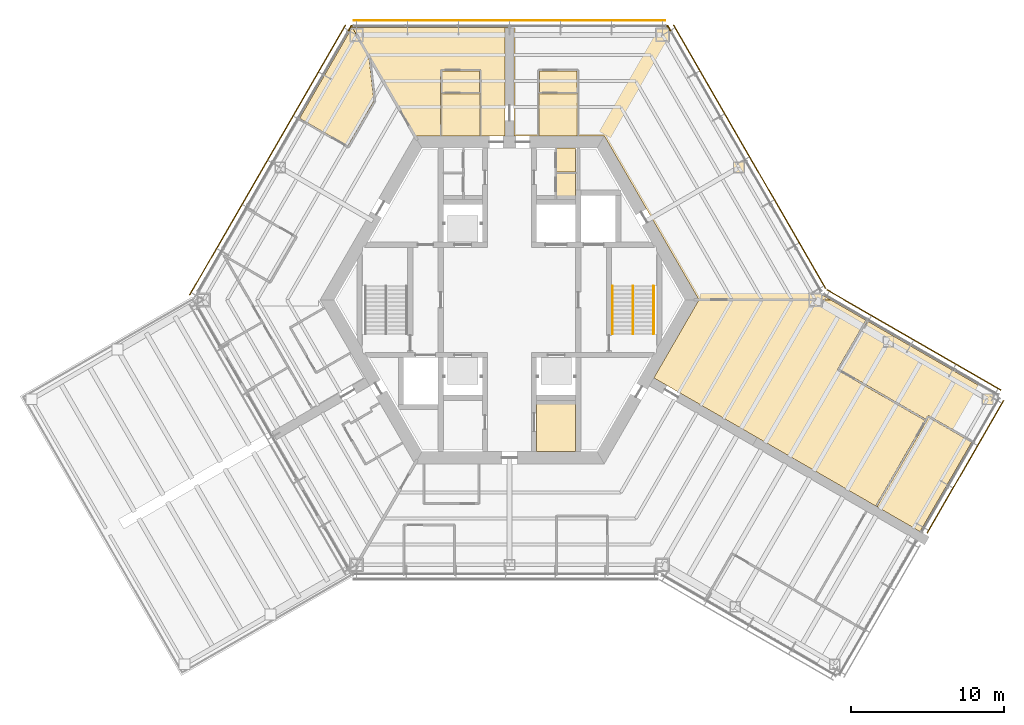
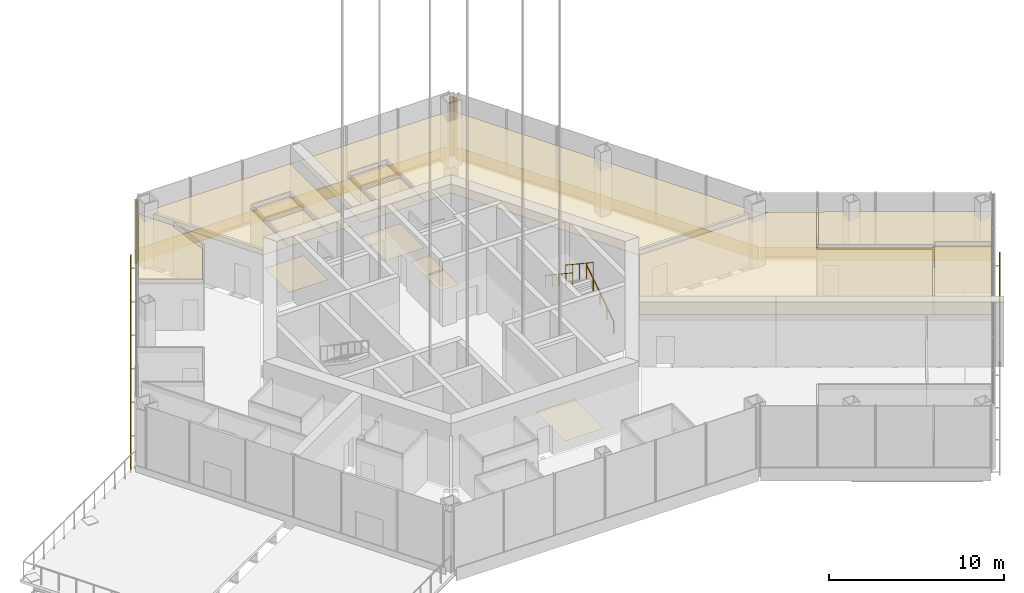
# One storey, part 16 of 17: 17 coverings, 5 shading devices, 3 railings.
"""IFC4 building model written with IfcOpenShell, lengths in metres."""

from ifc_helpers import new_model, si_unit, direction, frame, origin, origin_2d, place, context, subcontext, project, spatial, polyline, rectangle, circle, outline, extrude, material, layer, layer_set, type_object, element, save


model = new_model("IFC4")

# Units and contexts
model_context = context("Model", 3, precision=1e-05, world=origin(), true_north=direction((0.0, 1.0)))
body_context = subcontext(model_context, "Body", "Model", "MODEL_VIEW")
ifc_project = project(units=[si_unit("LENGTHUNIT", "METRE"), si_unit("AREAUNIT", "SQUARE_METRE"), si_unit("VOLUMEUNIT", "CUBIC_METRE"), si_unit("PLANEANGLEUNIT", "RADIAN"), si_unit("MASSUNIT", "GRAM", prefix="KILO")], contexts=[model_context])

# Site, building, storey
site_placement = place(None, origin())
site = spatial("IfcSite", under=ifc_project, at=site_placement, CompositionType="ELEMENT")
building_placement = place(site_placement, origin())
building = spatial("IfcBuilding", under=site, at=building_placement, Name="Kasaneha Research Tower", CompositionType="ELEMENT")
storey_placement = place(building_placement, frame((0.0, 0.0, 208.300048828125)))
storey = spatial("IfcBuildingStorey", under=building, at=storey_placement, Name="L52", CompositionType="ELEMENT", Elevation=208.300048828125)

# Coverings
ifc_material_1 = material(Name="Perforated aluminium acoustic ceiling", Category="aluminium")
ifc_layer_1 = layer(ifc_material_1, 0.030029296875)
ifc_layer_set_1 = layer_set([ifc_layer_1], Name="Acoustic ceiling 30")
covering_type_1 = type_object("IfcCoveringType", Name="Acoustic ceiling 30", PredefinedType="CEILING", material=ifc_layer_set_1)
covering_1_placement = place(storey_placement, frame((0.0, 0.0, 3.199951171875)))
element("IfcCovering", 1, at=covering_1_placement, inside=storey, type_object=covering_type_1, Name="Ceiling L52-29", PredefinedType="CEILING", context=body_context, shape_type="SweptSolid", body=[
    extrude(outline(polyline([(1.89990234375, 10.72509765625), (1.89990234375, 10.7451171875), (1.949951171875, 10.744873046875), (1.95458984375, 13.469970703125), (4.410400390625, 13.469970703125), (4.4150390625, 10.744873046875), (4.465087890625, 10.7451171875), (4.465087890625, 10.72509765625), (1.89990234375, 10.72509765625)])), origin(), (0.0, 0.0, 1.0), 0.030029296875),
])
covering_2_placement = place(storey_placement, frame((0.0, 0.0, 3.199951171875)))
element("IfcCovering", 2, at=covering_2_placement, inside=storey, type_object=covering_type_1, Name="Ceiling L52-30", PredefinedType="CEILING", context=body_context, shape_type="SweptSolid", body=[
    extrude(outline(polyline([(1.954345703125, 13.570068359375), (1.9501953125, 14.97509765625), (4.414794921875, 14.97509765625), (4.41064453125, 13.570068359375), (1.954345703125, 13.570068359375)])), origin(), (0.0, 0.0, 1.0), 0.030029296875),
])
covering_3_placement = place(storey_placement, frame((0.0, 0.0, 3.199951171875)))
element("IfcCovering", 3, at=covering_3_placement, inside=storey, type_object=covering_type_1, Name="Ceiling L52-31", PredefinedType="CEILING", context=body_context, shape_type="SweptSolid", body=[
    extrude(outline(polyline([(6.192138671875, 10.72509765625), (4.465576171875, 10.72509765625), (4.465576171875, 10.7451171875), (4.514892578125, 10.7451171875), (4.510498046875, 13.52490234375), (4.514892578125, 15.02490234375), (4.46533203125, 15.02490234375), (4.46533203125, 15.025390625), (4.465087890625, 15.025390625), (4.465087890625, 15.074951171875), (1.89990234375, 15.074951171875), (1.89990234375, 15.025390625), (1.899658203125, 15.025390625), (1.899658203125, 15.02490234375), (1.85009765625, 15.02490234375), (1.8544921875, 13.52490234375), (1.85009765625, 10.7451171875), (1.8994140625, 10.7451171875), (1.8994140625, 10.72509765625), (0.300048828125, 10.72509765625), (0.300048828125, 11.72509765625), (0.300048828125, 12.72509765625), (0.300048828125, 17.7705078125), (0.300048828125, 17.7705078125), (0.0, 17.7705078125), (0.0, 17.820556640625), (10.28857421875, 17.820556640625), (20.365966796875, 0.365966796875), (21.0, 0.0), (12.38427734375, 0.0), (6.192138671875, 10.72509765625)])), origin(), (0.0, 0.0, 1.0), 0.030029296875),
])
covering_4_placement = place(storey_placement, frame((0.0, 0.0, 3.199951171875)))
element("IfcCovering", 4, at=covering_4_placement, inside=storey, type_object=covering_type_1, Name="Ceiling L52-32", PredefinedType="CEILING", context=body_context, shape_type="SweptSolid", body=[
    extrude(outline(polyline([(-4.465087890625, 10.72509765625), (-4.465087890625, 10.7451171875), (-4.4150390625, 10.744873046875), (-4.410400390625, 13.469970703125), (-1.95458984375, 13.469970703125), (-1.949951171875, 10.744873046875), (-1.89990234375, 10.7451171875), (-1.89990234375, 10.72509765625), (-4.465087890625, 10.72509765625)])), origin(), (0.0, 0.0, 1.0), 0.030029296875),
])
covering_5_placement = place(storey_placement, frame((0.0, 0.0, 3.199951171875)))
element("IfcCovering", 5, at=covering_5_placement, inside=storey, type_object=covering_type_1, Name="Ceiling L52-33", PredefinedType="CEILING", context=body_context, shape_type="SweptSolid", body=[
    extrude(outline(polyline([(-1.9501953125, 14.97509765625), (-1.95458984375, 13.570068359375), (-4.41064453125, 13.570068359375), (-4.414794921875, 14.97509765625), (-1.9501953125, 14.97509765625)])), origin(), (0.0, 0.0, 1.0), 0.030029296875),
])
covering_6_placement = place(storey_placement, frame((0.0, 0.0, 3.199951171875)))
element("IfcCovering", 6, at=covering_6_placement, inside=storey, type_object=covering_type_1, Name="Ceiling L52-34", PredefinedType="CEILING", context=body_context, shape_type="SweptSolid", body=[
    extrude(outline(polyline([(-0.300048828125, 11.72509765625), (-0.300048828125, 10.72509765625), (-1.8994140625, 10.72509765625), (-1.8994140625, 10.7451171875), (-1.85009765625, 10.7451171875), (-1.854736328125, 13.52490234375), (-1.85009765625, 15.02490234375), (-1.89990234375, 15.02490234375), (-1.89990234375, 15.025390625), (-1.89990234375, 15.074951171875), (-4.465087890625, 15.074951171875), (-4.465087890625, 15.025390625), (-4.46533203125, 15.025390625), (-4.46533203125, 15.02490234375), (-4.514892578125, 15.02490234375), (-4.510498046875, 13.52490234375), (-4.514892578125, 10.7451171875), (-4.465576171875, 10.7451171875), (-4.465576171875, 10.72509765625), (-6.192138671875, 10.72509765625), (-9.077880859375, 15.7236328125), (-9.08544921875, 15.788330078125), (-9.113525390625, 15.784912109375), (-10.28857421875, 17.820556640625), (0.0, 17.820556640625), (0.0, 17.7705078125), (-0.300048828125, 17.7705078125), (-0.300048828125, 17.7705078125), (-0.300048828125, 12.72509765625), (-0.300048828125, 11.72509765625)])), origin(), (0.0, 0.0, 1.0), 0.030029296875),
])
covering_7_placement = place(storey_placement, frame((0.0, 0.0, 3.199951171875)))
element("IfcCovering", 7, at=covering_7_placement, inside=storey, type_object=covering_type_1, Name="Ceiling L52-35", PredefinedType="CEILING", context=body_context, shape_type="SweptSolid", body=[
    extrude(outline(polyline([(-10.288330078125, 17.821044921875), (-9.14111328125, 15.833740234375), (-9.135009765625, 15.782470703125), (-9.184814453125, 15.77685546875), (-8.86376953125, 12.986572265625), (-10.561279296875, 10.04833984375), (-13.6962890625, 11.858154296875), (-13.72119140625, 11.81494140625), (-13.747314453125, 11.830078125), (-10.2890625, 17.82080078125), (-10.288330078125, 17.821044921875)])), origin(), (0.0, 0.0, 1.0), 0.030029296875),
])
covering_8_placement = place(storey_placement, frame((0.0, 0.0, 3.199951171875)))
element("IfcCovering", 8, at=covering_8_placement, inside=storey, type_object=covering_type_1, Name="Ceiling L52-44", PredefinedType="CEILING", context=body_context, shape_type="SweptSolid", body=[
    extrude(outline(polyline([(30.241943359375, -9.261474609375), (30.215576171875, -9.24609375), (30.240478515625, -9.202880859375), (27.408447265625, -7.568115234375), (27.383544921875, -7.611572265625), (27.383544921875, -7.611572265625), (27.383544921875, -7.611572265625), (27.340576171875, -7.585693359375), (27.213623046875, -7.797607421875), (21.560546875, -4.538330078125), (23.37548828125, -1.39453125), (23.332275390625, -1.36962890625), (23.34228515625, -1.352294921875), (31.941650390625, -6.316650390625), (30.241943359375, -9.261474609375)])), origin(), (0.0, 0.0, 1.0), 0.030029296875),
])
covering_9_placement = place(storey_placement, frame((0.0, 0.0, 3.199951171875)))
element("IfcCovering", 9, at=covering_9_placement, inside=storey, type_object=covering_type_1, Name="Ceiling L52-45", PredefinedType="CEILING", context=body_context, shape_type="SweptSolid", body=[
    extrude(outline(polyline([(23.9833984375, -13.50048828125), (23.993408203125, -13.483154296875), (24.036865234375, -13.508056640625), (27.27880859375, -7.892822265625), (27.2744140625, -7.890380859375), (27.401123046875, -7.679443359375), (30.1904296875, -9.28955078125), (30.21533203125, -9.24658203125), (30.241455078125, -9.261474609375), (26.84130859375, -15.150390625), (23.9833984375, -13.50048828125)])), origin(), (0.0, 0.0, 1.0), 0.030029296875),
])
covering_10_placement = place(storey_placement, frame((0.0, 0.0, 3.199951171875)))
element("IfcCovering", 10, at=covering_10_placement, inside=storey, type_object=covering_type_1, Name="Ceiling L52-46", PredefinedType="CEILING", context=body_context, shape_type="SweptSolid", body=[
    extrude(outline(polyline([(9.438232421875, -5.102783203125), (12.38427734375, 0.0), (21.0, 0.0), (23.341796875, -1.35205078125), (23.331787109375, -1.369384765625), (23.288818359375, -1.344482421875), (21.448974609375, -4.531494140625), (21.491943359375, -4.556396484375), (21.49169921875, -4.556884765625), (21.491943359375, -4.556884765625), (21.46728515625, -4.599853515625), (27.1669921875, -7.88623046875), (23.9501953125, -13.4580078125), (23.9931640625, -13.48291015625), (23.98291015625, -13.500244140625), (11.170166015625, -6.102783203125), (11.170166015625, -6.102783203125), (10.30419921875, -5.602783203125), (10.30419921875, -5.602783203125), (9.438232421875, -5.102783203125)])), origin(), (0.0, 0.0, 1.0), 0.030029296875),
])
ifc_material_2 = material(Name="Terracotta", Category="masonry")
covering_type_2 = type_object("IfcCoveringType", Name="Corner pier cladding", PredefinedType="CLADDING", material=ifc_material_2)
covering_11_placement = place(storey_placement, origin())
element("IfcCovering", 11, at=covering_11_placement, inside=storey, type_object=covering_type_2, Name="Corner pier cladding L52 V1", PredefinedType="CLADDING", context=body_context, shape_type="SweptSolid", body=[
    extrude(outline(polyline([(10.511474609375, 17.53466796875), (10.449951171875, 17.64111328125), (10.449951171875, 17.7705078125), (10.375244140625, 17.7705078125), (10.317626953125, 17.87060546875), (10.247314453125, 17.87060546875), (10.247314453125, 17.96044921875), (10.369384765625, 17.96044921875), (10.58935546875, 17.57958984375), (10.511474609375, 17.53466796875)])), origin(), (0.0, 0.0, 1.0), 4.15185546875),
])
covering_12_placement = place(storey_placement, origin())
element("IfcCovering", 12, at=covering_12_placement, inside=storey, type_object=covering_type_2, Name="Corner pier cladding L52 V2", PredefinedType="CLADDING", context=body_context, shape_type="SweptSolid", body=[
    extrude(outline(polyline([(-10.247314453125, 17.87060546875), (-10.317626953125, 17.87060546875), (-10.375244140625, 17.7705078125), (-10.449951171875, 17.7705078125), (-10.449951171875, 17.64111328125), (-10.511474609375, 17.53466796875), (-10.58935546875, 17.57958984375), (-10.369384765625, 17.96044921875), (-10.247314453125, 17.96044921875), (-10.247314453125, 17.87060546875)])), origin(), (0.0, 0.0, 1.0), 4.15185546875),
])

# Railings
ifc_material_3 = material(Name="Steel", Category="steel")
railing_type_1 = type_object("IfcRailingType", Name="Stair balustrade 1100", PredefinedType="GUARDRAIL", material=ifc_material_3)
railing_1_placement = place(storey_placement, frame((8.074951171875, 0.89501953125, 2.423095703125)))
element("IfcRailing", 13, at=railing_1_placement, inside=storey, type_object=railing_type_1, Name="Stair 1 balustrade L52", PredefinedType="GUARDRAIL", context=body_context, shape_type="SweptSolid", body=[
    extrude(circle(Radius=0.02392578125, at=origin_2d()), frame((0.0, 0.0, 1.076171875), z_axis=(0.0, -0.83244090515, 0.554113832559), x_axis=(1.0, 0.0, 0.0)), (0.0, 0.0, 1.0), 3.748046875),
    extrude(circle(Radius=0.02099609375, at=origin_2d()), origin(), (0.0, 0.0, 1.0), 1.052001953125),
    extrude(circle(Radius=0.02099609375, at=origin_2d()), frame((0.0, -0.780029296875, 0.519287109375)), (0.0, 0.0, 1.0), 1.052001953125),
    extrude(circle(Radius=0.02099609375, at=origin_2d()), frame((0.0, -1.56005859375, 1.03857421875)), (0.0, 0.0, 1.0), 1.052001953125),
    extrude(circle(Radius=0.02099609375, at=origin_2d()), frame((0.0, -2.340087890625, 1.5576171875)), (0.0, 0.0, 1.0), 1.052001953125),
    extrude(circle(Radius=0.02099609375, at=origin_2d()), frame((0.0, -3.1201171875, 2.076904296875)), (0.0, 0.0, 1.0), 1.052001953125),
])
ifc_material_4 = material(Name="Steel", Category="steel")
railing_type_2 = type_object("IfcRailingType", Name="Stair handrail 850", PredefinedType="HANDRAIL", material=ifc_material_4)
railing_2_placement = place(storey_placement, frame((9.425048828125, -2.22509765625, 0.173095703125)))
element("IfcRailing", 14, at=railing_2_placement, inside=storey, type_object=railing_type_2, Name="Stair 1 handrail L52", PredefinedType="HANDRAIL", context=body_context, shape_type="SweptSolid", body=[
    extrude(circle(Radius=0.02392578125, at=origin_2d()), frame((0.0, 0.0, 0.826171875), z_axis=(0.0, 0.83244090515, 0.554113832559), x_axis=(-1.0, 0.0, 0.0)), (0.0, 0.0, 1.0), 3.748046875),
    extrude(circle(Radius=0.02099609375, at=origin_2d()), origin(), (0.0, 0.0, 1.0), 0.802001953125),
    extrude(circle(Radius=0.02099609375, at=origin_2d()), frame((0.0, 0.780029296875, 0.519287109375)), (0.0, 0.0, 1.0), 0.802001953125),
    extrude(circle(Radius=0.02099609375, at=origin_2d()), frame((0.0, 1.56005859375, 1.03857421875)), (0.0, 0.0, 1.0), 0.802001953125),
    extrude(circle(Radius=0.02099609375, at=origin_2d()), frame((0.0, 2.340087890625, 1.5576171875)), (0.0, 0.0, 1.0), 0.802001953125),
    extrude(circle(Radius=0.02099609375, at=origin_2d()), frame((0.0, 3.1201171875, 2.076904296875)), (0.0, 0.0, 1.0), 0.802001953125),
])
railing_3_placement = place(storey_placement, frame((6.72509765625, 0.89501953125, 2.423095703125)))
element("IfcRailing", 15, at=railing_3_placement, inside=storey, type_object=railing_type_2, Name="Stair 1 handrail L52", PredefinedType="HANDRAIL", context=body_context, shape_type="SweptSolid", body=[
    extrude(circle(Radius=0.02392578125, at=origin_2d()), frame((0.0, 0.0, 0.826171875), z_axis=(0.0, -0.83244090515, 0.554113832559), x_axis=(1.0, 0.0, 0.0)), (0.0, 0.0, 1.0), 3.748046875),
    extrude(circle(Radius=0.02099609375, at=origin_2d()), origin(), (0.0, 0.0, 1.0), 0.802001953125),
    extrude(circle(Radius=0.02099609375, at=origin_2d()), frame((0.0, -0.780029296875, 0.519287109375)), (0.0, 0.0, 1.0), 0.802001953125),
    extrude(circle(Radius=0.02099609375, at=origin_2d()), frame((0.0, -1.56005859375, 1.03857421875)), (0.0, 0.0, 1.0), 0.802001953125),
    extrude(circle(Radius=0.02099609375, at=origin_2d()), frame((0.0, -2.340087890625, 1.5576171875)), (0.0, 0.0, 1.0), 0.802001953125),
    extrude(circle(Radius=0.02099609375, at=origin_2d()), frame((0.0, -3.1201171875, 2.076904296875)), (0.0, 0.0, 1.0), 0.802001953125),
])

# Shading devices
ifc_material_5 = material(Name="Terracotta", Category="masonry")
ifc_layer_2 = layer(ifc_material_5, 0.06005859375)
ifc_layer_set_2 = layer_set([ifc_layer_2], Name="Terracotta baguette screen")
shading_device_type = type_object("IfcShadingDeviceType", Name="Terracotta baguette screen", PredefinedType="USERDEFINED", material=ifc_layer_set_2)
shading_device_1_placement = place(storey_placement, frame((15.696044921875, 9.35498046875, -0.449951171875), z_axis=(0.0, 0.0, 1.0), x_axis=(-0.499999979232, 0.866025415775, 0.0)))
element("IfcShadingDevice", 16, at=shading_device_1_placement, inside=storey, type_object=shading_device_type, Name="Baguette screen L52 01", ObjectType="TERRACOTTA BAGUETTE SCREEN", PredefinedType="USERDEFINED", context=body_context, shape_type="SweptSolid", body=[
    extrude(rectangle(XDim=19.8857421875, YDim=0.06005859375, at=origin_2d()), origin(), (0.0, 0.0, 1.0), 0.89990234375),
])
for number, where, z_axis, x_axis, name in (
    (17, (0.0, 18.2705078125, -0.449951171875), (0.0, 0.0, 1.0), (-1.0, 0.0, 0.0), "Baguette screen L52 02"),
    (18, (-15.82275390625, 9.13525390625, -0.449951171875), (0.0, 0.0, 1.0), (-0.499999995722, -0.866025406254, 0.0), "Baguette screen L52 03"),
):
    element("IfcShadingDevice", number, at=place(storey_placement, frame(where, z_axis=z_axis, x_axis=x_axis)), inside=storey, type_object=shading_device_type, Name=name, ObjectType="TERRACOTTA BAGUETTE SCREEN", PredefinedType="USERDEFINED", context=body_context, shape_type="SweptSolid", body=[
        extrude(rectangle(XDim=20.392822265625, YDim=0.06005859375, at=origin_2d()), origin(), (0.0, 0.0, 1.0), 0.89990234375),
    ])
shading_device_2_placement = place(storey_placement, frame((29.80615234375, -10.91552734375, -0.449951171875), z_axis=(0.0, 0.0, 1.0), x_axis=(0.500000011442, 0.866025397178, 0.0)))
element("IfcShadingDevice", 19, at=shading_device_2_placement, inside=storey, type_object=shading_device_type, Name="Baguette screen L52 08", ObjectType="TERRACOTTA BAGUETTE SCREEN", PredefinedType="USERDEFINED", context=body_context, shape_type="SweptSolid", body=[
    extrude(rectangle(XDim=10.0, YDim=0.06005859375, at=origin_2d()), origin(), (0.0, 0.0, 1.0), 0.89990234375),
])
shading_device_3_placement = place(storey_placement, frame((26.43359375, -2.617431640625, -0.449951171875), z_axis=(0.0, 0.0, 1.0), x_axis=(-0.866025411464, 0.499999986699, 0.0)))
element("IfcShadingDevice", 20, at=shading_device_3_placement, inside=storey, type_object=shading_device_type, Name="Baguette screen L52 09", ObjectType="TERRACOTTA BAGUETTE SCREEN", PredefinedType="USERDEFINED", context=body_context, shape_type="SweptSolid", body=[
    extrude(rectangle(XDim=13.13916015625, YDim=0.06005859375, at=origin_2d()), origin(), (0.0, 0.0, 1.0), 0.89990234375),
])

# Coverings
ifc_material_6 = material(Name="Vinyl sheet flooring", Category="plastic")
ifc_layer_3 = layer(ifc_material_6, 0.0048828125)
ifc_layer_set_3 = layer_set([ifc_layer_3], Name="Wet room sheet flooring 5")
covering_type_3 = type_object("IfcCoveringType", Name="Wet room sheet flooring 5", PredefinedType="FLOORING", material=ifc_layer_set_3)
covering_13_placement = place(storey_placement, origin())
element("IfcCovering", 21, at=covering_13_placement, inside=storey, type_object=covering_type_3, Name="Floor finish L52-10", PredefinedType="FLOORING", context=body_context, shape_type="SweptSolid", body=[
    extrude(outline(polyline([(3.074951171875, 6.574951171875), (3.074951171875, 8.25), (4.324951171875, 8.25), (4.324951171875, 7.0), (4.324951171875, 6.574951171875), (3.074951171875, 6.574951171875)])), origin(), (0.0, 0.0, 1.0), 0.0048828125),
])
covering_14_placement = place(storey_placement, origin())
element("IfcCovering", 22, at=covering_14_placement, inside=storey, type_object=covering_type_3, Name="Floor finish L52-11", PredefinedType="FLOORING", context=body_context, shape_type="SweptSolid", body=[
    extrude(outline(polyline([(4.324951171875, 8.35009765625), (3.074951171875, 8.35009765625), (3.074951171875, 9.925048828125), (4.324951171875, 9.925048828125), (4.324951171875, 8.35009765625)])), origin(), (0.0, 0.0, 1.0), 0.0048828125),
])
covering_15_placement = place(storey_placement, origin())
element("IfcCovering", 23, at=covering_15_placement, inside=storey, type_object=covering_type_3, Name="Floor finish L52-13", PredefinedType="FLOORING", context=body_context, shape_type="SweptSolid", body=[
    extrude(outline(polyline([(1.77490234375, -9.925048828125), (1.77490234375, -6.574951171875), (4.324951171875, -6.574951171875), (4.324951171875, -9.925048828125), (1.77490234375, -9.925048828125)])), origin(), (0.0, 0.0, 1.0), 0.0048828125),
])
covering_16_placement = place(storey_placement, origin())
element("IfcCovering", 24, at=covering_16_placement, inside=storey, type_object=covering_type_3, Name="Floor finish L52-29", PredefinedType="FLOORING", context=body_context, shape_type="SweptSolid", body=[
    extrude(outline(polyline([(4.465087890625, 13.52490234375), (4.465087890625, 10.72509765625), (1.89990234375, 10.72509765625), (1.89990234375, 13.52490234375), (4.465087890625, 13.52490234375)])), origin(), (0.0, 0.0, 1.0), 0.0048828125),
])
covering_17_placement = place(storey_placement, origin())
element("IfcCovering", 25, at=covering_17_placement, inside=storey, type_object=covering_type_3, Name="Floor finish L52-32", PredefinedType="FLOORING", context=body_context, shape_type="SweptSolid", body=[
    extrude(outline(polyline([(-1.89990234375, 13.52490234375), (-1.89990234375, 10.72509765625), (-4.465087890625, 10.72509765625), (-4.465087890625, 13.52490234375), (-1.89990234375, 13.52490234375)])), origin(), (0.0, 0.0, 1.0), 0.0048828125),
])

save(model, "model.ifc")
